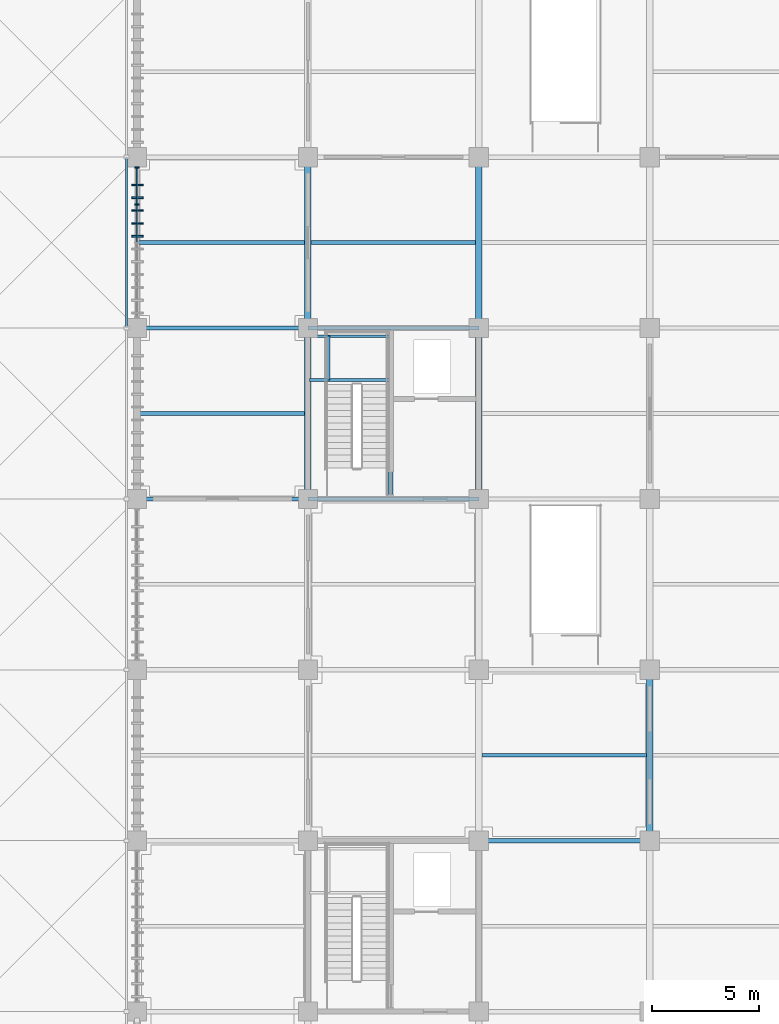
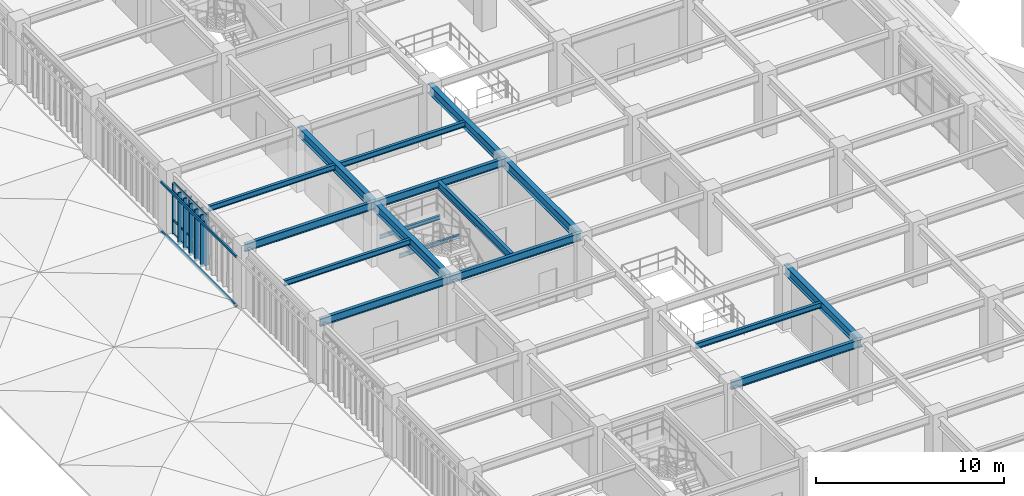
# One storey, part 26 of 118: 18 beams, 15 members, 1 element without a shape of its own.
"""IFC4 building model written with IfcOpenShell, lengths in metres."""

import ifcopenshell
import ifcopenshell.guid

model = None  # the IFC model being written
_history = None  # IfcOwnerHistory: only IFC2X3 demands one
_inside = {}  # id of a spatial element -> (the spatial element, [elements in it])
_under = {}  # id of a project, library or spatial element -> (it, [spatial elements below it])
_declared = {}  # id of a project -> (the project, [libraries it declares])
_typed = {}  # id of a type object -> (the type object, [elements of that type])
_made_of = {}  # id of a material, layer set ... -> (it, [elements and type objects made of it])


def new_model(schema):
    """Start an empty IFC model of exactly this schema.

    Asked for "IFC4X3", IfcOpenShell would pick the latest addendum, in which some entities
    have other attributes; the version numbers below select the first issue.
    IFC2X3 requires an IfcOwnerHistory on every rooted entity: one is made here for all.
    """
    global model, _history
    if schema == "IFC4X3":
        model = ifcopenshell.file(schema_version=(4, 3, 0, 0))
    else:
        model = ifcopenshell.file(schema=schema)
    _inside.clear()
    _under.clear()
    _declared.clear()
    _typed.clear()
    _made_of.clear()
    _history = None
    if model.schema == "IFC2X3":
        org = make("IfcOrganization", Name="unknown")
        user = make(
            "IfcPersonAndOrganization",
            ThePerson=make("IfcPerson", FamilyName="unknown"),
            TheOrganization=org,
        )
        app = make(
            "IfcApplication",
            ApplicationDeveloper=org,
            Version="unknown",
            ApplicationFullName="unknown",
            ApplicationIdentifier="unknown",
        )
        _history = make(
            "IfcOwnerHistory",
            OwningUser=user,
            OwningApplication=app,
            ChangeAction="ADDED",
            CreationDate=0,
        )
    return model


def make(cls, **values):
    """One entity of the class cls with the attributes given. An attribute that is None is left unset."""
    return model.create_entity(
        cls, **{name: value for name, value in values.items() if value is not None}
    )


def rooted(cls, **values):
    """An entity with a GlobalId (a new one), such as an element, a storey or a relation."""
    return make(cls, GlobalId=ifcopenshell.guid.new(), OwnerHistory=_history, **values)


def si_unit(unit_type, name, prefix=None):
    """IfcSIUnit, for example si_unit("LENGTHUNIT", "METRE", prefix="MILLI")."""
    return make("IfcSIUnit", UnitType=unit_type, Prefix=prefix, Name=name)


def assignment(units):
    """IfcUnitAssignment: the units of a project."""
    return None if units is None else make("IfcUnitAssignment", Units=units)


def point(xyz):
    """IfcCartesianPoint."""
    return None if xyz is None else make("IfcCartesianPoint", Coordinates=xyz)


def direction(xyz):
    """IfcDirection."""
    return None if xyz is None else make("IfcDirection", DirectionRatios=xyz)


def frame(location, z_axis=None, x_axis=None):
    """IfcAxis2Placement3D, a coordinate frame: its origin and axes. An axis left out is left unset."""
    return make(
        "IfcAxis2Placement3D",
        Location=point(location),
        Axis=direction(z_axis),
        RefDirection=direction(x_axis),
    )


def frame_2d(location, x_axis=None):
    """IfcAxis2Placement2D, a coordinate frame in the plane: its origin and x axis."""
    return make(
        "IfcAxis2Placement2D", Location=point(location), RefDirection=direction(x_axis)
    )


def origin():
    """The frame at (0, 0, 0) with its axes left unset."""
    return frame((0.0, 0.0, 0.0))


def origin_2d():
    """The frame at (0, 0) in the plane with its x axis left unset."""
    return frame_2d((0.0, 0.0))


def place(relative_to, where):
    """IfcLocalPlacement: puts the frame where relative to a parent placement (None: the world)."""
    return make(
        "IfcLocalPlacement", PlacementRelTo=relative_to, RelativePlacement=where
    )


def context(
    kind, dimensions, precision=None, world=None, true_north=None, identifier=None
):
    """IfcGeometricRepresentationContext, for example the 3D "Model" context."""
    return make(
        "IfcGeometricRepresentationContext",
        ContextIdentifier=identifier,
        ContextType=kind,
        CoordinateSpaceDimension=dimensions,
        Precision=precision,
        WorldCoordinateSystem=world,
        TrueNorth=true_north,
    )


def subcontext(parent, identifier, kind, view, scale=None):
    """IfcGeometricRepresentationSubContext, for example "Body" below "Model"."""
    return make(
        "IfcGeometricRepresentationSubContext",
        ContextIdentifier=identifier,
        ContextType=kind,
        ParentContext=parent,
        TargetScale=scale,
        TargetView=view,
    )


def project(units=None, contexts=None):
    """IfcProject with its units and contexts."""
    return rooted(
        "IfcProject",
        Name="project",
        RepresentationContexts=contexts,
        UnitsInContext=assignment(units),
    )


def spatial(cls, under=None, at=None, **own):
    """A site, building, storey or space (cls), placed at a placement, below another one or the project."""
    s = rooted(cls, ObjectPlacement=at, **own)
    if under is not None:
        _under.setdefault(under.id(), (under, []))[1].append(s)
    return s


def profile(cls, at=None, kind="AREA", **sizes):
    """A parametric profile (cls). Its sizes go by their IFC names, for example OverallWidth=200.0."""
    return make(cls, ProfileType=kind, Position=at, **sizes)


def rectangle(**sizes):
    """IfcRectangleProfileDef."""
    return profile("IfcRectangleProfileDef", **sizes)


def hollow_rectangle(**sizes):
    """IfcRectangleHollowProfileDef."""
    return profile("IfcRectangleHollowProfileDef", **sizes)


def i_section(**sizes):
    """IfcIShapeProfileDef."""
    return profile("IfcIShapeProfileDef", **sizes)


def extrude(swept, where, along, depth):
    """IfcExtrudedAreaSolid: the profile swept, set in the frame where, extruded along a direction by depth."""
    return make(
        "IfcExtrudedAreaSolid",
        SweptArea=swept,
        Position=where,
        ExtrudedDirection=direction(along),
        Depth=depth,
    )


def shape(context_of_items, identifier, shape_type, items):
    """IfcShapeRepresentation: the items that make up one representation, for example the "Body"."""
    return make(
        "IfcShapeRepresentation",
        ContextOfItems=context_of_items,
        RepresentationIdentifier=identifier,
        RepresentationType=shape_type,
        Items=items,
    )


def material(Name=None, Category=None):
    """IfcMaterial."""
    return make("IfcMaterial", Name=Name, Category=Category)


def layer(
    of_material, thickness, ventilated=None, Name=None, Category=None, Priority=None
):
    """IfcMaterialLayer: one layer of a wall or slab, of a material (None: an air gap)."""
    return make(
        "IfcMaterialLayer",
        Material=of_material,
        LayerThickness=thickness,
        IsVentilated=ventilated,
        Name=Name,
        Category=Category,
        Priority=Priority,
    )


def layer_set(layers, Name=None):
    """IfcMaterialLayerSet."""
    return make("IfcMaterialLayerSet", MaterialLayers=layers, LayerSetName=Name)


def material_profile(
    of_material, cross_section, Name=None, Category=None, Priority=None
):
    """IfcMaterialProfile: a cross section and its material."""
    return make(
        "IfcMaterialProfile",
        Name=Name,
        Material=of_material,
        Profile=cross_section,
        Priority=Priority,
        Category=Category,
    )


def profile_set(profiles, Name=None, composite=None):
    """IfcMaterialProfileSet."""
    return make(
        "IfcMaterialProfileSet",
        Name=Name,
        MaterialProfiles=profiles,
        CompositeProfile=composite,
    )


def made_of(thing, what):
    """Note that an element or type object is made of a material, layer set ...; save() writes the relation."""
    if what is not None:
        _made_of.setdefault(what.id(), (what, []))[1].append(thing)
    return thing


def type_object(cls, material=None, **own):
    """A type object (cls), such as IfcWallType, which elements share."""
    return made_of(rooted(cls, **own), material)


def element(
    cls,
    number,
    at=None,
    inside=None,
    cuts=None,
    type_object=None,
    material=None,
    context=None,
    identifier="Body",
    shape_type=None,
    held_by="IfcProductDefinitionShape",
    body=None,
    shapes=None,
    **own,
):
    """One element of the class cls, such as IfcWall. Its Tag is "e" and its number.

    at: its placement. inside: the storey or other place that contains it. cuts: it is an
    opening in that element (IfcRelVoidsElement). A single representation is given by context,
    identifier, shape_type and body (its items); several are given by shapes. held_by: the class
    of the entity that holds the representations. save() writes the other relations.
    """
    e = rooted(cls, Tag="e%d" % number, ObjectPlacement=at, **own)
    if body is not None:
        shapes = [shape(context, identifier, shape_type, body)]
    if shapes is not None:
        e.Representation = make(held_by, Representations=shapes)
    if inside is not None:
        _inside.setdefault(inside.id(), (inside, []))[1].append(e)
    if cuts is not None:
        rooted(
            "IfcRelVoidsElement", RelatingBuildingElement=cuts, RelatedOpeningElement=e
        )
    if type_object is not None:
        _typed.setdefault(type_object.id(), (type_object, []))[1].append(e)
    return made_of(e, material)


def aggregate(whole, parts):
    """IfcRelAggregates: a whole, such as a stair, and the parts it consists of."""
    return rooted("IfcRelAggregates", RelatingObject=whole, RelatedObjects=parts)


def save(model, path):
    """Write the relations noted so far, then the file.

    IfcRelAggregates (storeys below a building ...), IfcRelContainedInSpatialStructure (elements
    in a storey), IfcRelDefinesByType, IfcRelAssociatesMaterial and IfcRelDeclares: one each for
    every whole, place, type object, material and project.
    """
    for whole, parts in _under.values():
        aggregate(whole, parts)
    for where, things in _inside.values():
        rooted(
            "IfcRelContainedInSpatialStructure",
            RelatedElements=things,
            RelatingStructure=where,
        )
    for kind, things in _typed.values():
        rooted("IfcRelDefinesByType", RelatedObjects=things, RelatingType=kind)
    for what, things in _made_of.values():
        rooted("IfcRelAssociatesMaterial", RelatedObjects=things, RelatingMaterial=what)
    for by, libraries in _declared.values():
        rooted("IfcRelDeclares", RelatingContext=by, RelatedDefinitions=libraries)
    model.write(path)


model = new_model("IFC4")

# Units and contexts
model_context = context("Model", 3, precision=1e-05, world=origin(), true_north=direction((0.0, 1.0)))
body_context = subcontext(model_context, "Body", "Model", "MODEL_VIEW")
ifc_project = project(units=[si_unit("LENGTHUNIT", "METRE"), si_unit("AREAUNIT", "SQUARE_METRE"), si_unit("VOLUMEUNIT", "CUBIC_METRE"), si_unit("PLANEANGLEUNIT", "RADIAN"), si_unit("MASSUNIT", "GRAM", prefix="KILO")], contexts=[model_context])

# Site, building, storey
site_placement = place(None, origin())
site = spatial("IfcSite", under=ifc_project, at=site_placement, CompositionType="ELEMENT")
building_placement = place(site_placement, origin())
building = spatial("IfcBuilding", under=site, at=building_placement, Name="Haebicheon Civic Stadium", CompositionType="ELEMENT")
storey_placement = place(building_placement, frame((0.0, 0.0, 14.39990234375)))
storey = spatial("IfcBuildingStorey", under=building, at=storey_placement, Name="L04", CompositionType="ELEMENT", Elevation=14.39990234375)

# Beams
ifc_material_1 = material(Name="Steel SM355 (S355)", Category="steel")
ifc_material_profile_1 = material_profile(ifc_material_1, i_section(OverallWidth=0.199951171875, OverallDepth=0.5, WebThickness=0.010009765625, FlangeThickness=0.01611328125, at=origin_2d()), Name="H-500x200x10x16")
ifc_profile_set_1 = profile_set([ifc_material_profile_1], Name="Steel SM355 (S355)")
beam_type_1 = type_object("IfcBeamType", Name="BM-ST-H500", PredefinedType="BEAM", material=ifc_profile_set_1)
for number, where, z_axis, x_axis, name in (
    (1, (24.0, 80.0, 3.690185546875), (1.0, 0.0, 0.0), (0.0, 1.0, 0.0), "L04 beam L/4-5"),
    (2, (24.0, 88.0, 3.690185546875), (1.0, 0.0, 0.0), (0.0, 1.0, 0.0), "L04 beam M/4-5"),
    (3, (32.0, 80.0, 3.690185546875), (1.0, 0.0, 0.0), (0.0, 1.0, 0.0), "L04 beam L/5-6"),
    (4, (32.0, 88.0, 3.690185546875), (1.0, 0.0, 0.0), (0.0, 1.0, 0.0), "L04 beam M/5-6"),
    (5, (40.0, 64.0, 3.690185546875), (1.0, 0.0, 0.0), (0.0, 1.0, 0.0), "L04 beam J/6-7"),
):
    element("IfcBeam", number, at=place(storey_placement, frame(where, z_axis=z_axis, x_axis=x_axis)), inside=storey, type_object=beam_type_1, material=ifc_profile_set_1, Name=name, PredefinedType="BEAM", context=body_context, shape_type="SweptSolid", body=[
        extrude(i_section(OverallWidth=0.199951171875, OverallDepth=0.5, WebThickness=0.010009765625, FlangeThickness=0.01611328125, at=origin_2d()), origin(), (0.0, 0.0, 1.0), 8.0),
    ])
beam_1_placement = place(storey_placement, frame((35.8798828125, 80.10009765625, 3.690185546875), z_axis=(0.0, 1.0, 0.0), x_axis=(-1.0, 0.0, 0.0)))
element("IfcBeam", 6, at=beam_1_placement, inside=storey, type_object=beam_type_1, material=ifc_profile_set_1, Name="L04 KC-03 core dividing wall support beam", PredefinedType="BEAM", context=body_context, shape_type="SweptSolid", body=[
    extrude(i_section(OverallWidth=0.199951171875, OverallDepth=0.5, WebThickness=0.010009765625, FlangeThickness=0.01611328125, at=origin_2d()), origin(), (0.0, 0.0, 1.0), 7.7998046875),
])
ifc_material_2 = material(Name="Steel SM355 (S355)", Category="steel")
ifc_material_profile_2 = material_profile(ifc_material_2, i_section(OverallWidth=0.300048828125, OverallDepth=0.60009765625, WebThickness=0.011962890625, FlangeThickness=0.02001953125, at=origin_2d()), Name="H-600x300x12x20")
ifc_profile_set_2 = profile_set([ifc_material_profile_2], Name="Steel SM355 (S355)")
beam_type_2 = type_object("IfcBeamType", Name="BM-ST-H600A", PredefinedType="BEAM", material=ifc_profile_set_2)
for number, where, z_axis, x_axis, name in (
    (7, (32.0, 80.0, 3.64013671875), (0.0, 1.0, 0.0), (-1.0, 0.0, 0.0), "L04 girder 5/L-M"),
    (8, (32.0, 88.0, 3.64013671875), (0.0, 1.0, 0.0), (-1.0, 0.0, 0.0), "L04 girder 5/M-N"),
    (9, (40.0, 80.0, 3.64013671875), (0.0, 1.0, 0.0), (-1.0, 0.0, 0.0), "L04 girder 6/L-M"),
    (10, (40.0, 88.0, 3.64013671875), (0.0, 1.0, 0.0), (-1.0, 0.0, 0.0), "L04 girder 6/M-N"),
    (11, (48.0, 64.0, 3.64013671875), (0.0, 1.0, 0.0), (-1.0, 0.0, 0.0), "L04 girder 7/J-K"),
):
    element("IfcBeam", number, at=place(storey_placement, frame(where, z_axis=z_axis, x_axis=x_axis)), inside=storey, type_object=beam_type_2, material=ifc_profile_set_2, Name=name, PredefinedType="BEAM", context=body_context, shape_type="SweptSolid", body=[
        extrude(i_section(OverallWidth=0.300048828125, OverallDepth=0.60009765625, WebThickness=0.011962890625, FlangeThickness=0.02001953125, at=origin_2d()), origin(), (0.0, 0.0, 1.0), 8.0),
    ])

# Curtain wall, members
ifc_material_3 = material(Name="Anodised aluminium and laminated glass", Category="aluminium")
ifc_layer = layer(ifc_material_3, 0.179931640625, Name="Anodised aluminium and laminated glass")
ifc_layer_set = layer_set([ifc_layer], Name="Anodised aluminium and laminated glass")
curtain_wall_type = type_object("IfcCurtainWallType", Name="CW-7100x3330", PredefinedType="NOTDEFINED", material=ifc_layer_set)
curtain_wall_placement = place(storey_placement, origin())
curtain_wall = element("IfcCurtainWall", 12, at=curtain_wall_placement, inside=storey, type_object=curtain_wall_type, material=ifc_layer_set, Name="L04 unitised curtain wall 108", PredefinedType="NOTDEFINED")
ifc_material_4 = material(Name="Anodised aluminium 6063-T6", Category="aluminium")
ifc_material_profile_3 = material_profile(ifc_material_4, rectangle(XDim=0.070068359375, YDim=0.199951171875, at=origin_2d()), Name="ALU-MULL-70x200")
ifc_profile_set_3 = profile_set([ifc_material_profile_3], Name="Anodised aluminium 6063-T6")
member_type_1 = type_object("IfcMemberType", Name="CWM-200x70", PredefinedType="MULLION", material=ifc_profile_set_3)
member_1_placement = place(storey_placement, frame((24.0, 93.77490234375, 0.0), z_axis=(0.0, 0.0, 1.0), x_axis=(0.0, 1.0, 0.0)))
member_1 = element("IfcMember", 13, at=member_1_placement, type_object=member_type_1, material=ifc_profile_set_3, Name="CW-L04-108 vertical mullion 4", PredefinedType="MULLION", context=body_context, shape_type="SweptSolid", body=[
    extrude(rectangle(XDim=0.070068359375, YDim=0.199951171875, at=origin_2d()), origin(), (0.0, 0.0, 1.0), 3.330078125),
])
member_2_placement = place(storey_placement, frame((24.0, 95.514892578125, 0.0), z_axis=(0.0, 0.0, 1.0), x_axis=(0.0, 1.0, 0.0)))
member_2 = element("IfcMember", 14, at=member_2_placement, type_object=member_type_1, material=ifc_profile_set_3, Name="CW-L04-108 vertical mullion 5", PredefinedType="MULLION", context=body_context, shape_type="SweptSolid", body=[
    extrude(rectangle(XDim=0.070068359375, YDim=0.199951171875, at=origin_2d()), origin(), (0.0, 0.0, 1.0), 3.330078125),
])
ifc_material_5 = material(Name="Anodised aluminium 6063-T6", Category="aluminium")
ifc_material_profile_4 = material_profile(ifc_material_5, rectangle(XDim=0.070068359375, YDim=0.14990234375, at=origin_2d()), Name="ALU-TRAN-70x150")
ifc_profile_set_4 = profile_set([ifc_material_profile_4], Name="Anodised aluminium 6063-T6")
member_type_2 = type_object("IfcMemberType", Name="CWT-150x70", PredefinedType="NOTDEFINED", material=ifc_profile_set_4)
member_3_placement = place(storey_placement, frame((24.0, 92.034912109375, 2.780029296875), z_axis=(0.0, 1.0, 0.0), x_axis=(-1.0, 0.0, 0.0)))
member_3 = element("IfcMember", 15, at=member_3_placement, type_object=member_type_2, material=ifc_profile_set_4, Name="CW-L04-108 horizontal transom 3.3", ObjectType="TRANSOM", PredefinedType="USERDEFINED", context=body_context, shape_type="SweptSolid", body=[
    extrude(rectangle(XDim=0.070068359375, YDim=0.14990234375, at=origin_2d()), origin(), (0.0, 0.0, 1.0), 1.705078125),
])
member_4_placement = place(storey_placement, frame((24.0, 92.034912109375, 3.330078125), z_axis=(0.0, 1.0, 0.0), x_axis=(-1.0, 0.0, 0.0)))
member_4 = element("IfcMember", 16, at=member_4_placement, type_object=member_type_2, material=ifc_profile_set_4, Name="CW-L04-108 horizontal transom 3.4", ObjectType="TRANSOM", PredefinedType="USERDEFINED", context=body_context, shape_type="SweptSolid", body=[
    extrude(rectangle(XDim=0.070068359375, YDim=0.14990234375, at=origin_2d()), origin(), (0.0, 0.0, 1.0), 1.705078125),
])
member_5_placement = place(storey_placement, frame((24.0, 93.81005859375, 0.0), z_axis=(0.0, 1.0, 0.0), x_axis=(-1.0, 0.0, 0.0)))
member_5 = element("IfcMember", 17, at=member_5_placement, type_object=member_type_2, material=ifc_profile_set_4, Name="CW-L04-108 horizontal transom 4.1", ObjectType="TRANSOM", PredefinedType="USERDEFINED", context=body_context, shape_type="SweptSolid", body=[
    extrude(rectangle(XDim=0.070068359375, YDim=0.14990234375, at=origin_2d()), origin(), (0.0, 0.0, 1.0), 1.669921875),
])
member_6_placement = place(storey_placement, frame((24.0, 93.81005859375, 0.900146484375), z_axis=(0.0, 1.0, 0.0), x_axis=(-1.0, 0.0, 0.0)))
member_6 = element("IfcMember", 18, at=member_6_placement, type_object=member_type_2, material=ifc_profile_set_4, Name="CW-L04-108 horizontal transom 4.2", ObjectType="TRANSOM", PredefinedType="USERDEFINED", context=body_context, shape_type="SweptSolid", body=[
    extrude(rectangle(XDim=0.070068359375, YDim=0.14990234375, at=origin_2d()), origin(), (0.0, 0.0, 1.0), 1.669921875),
])
member_7_placement = place(storey_placement, frame((24.0, 93.81005859375, 2.780029296875), z_axis=(0.0, 1.0, 0.0), x_axis=(-1.0, 0.0, 0.0)))
member_7 = element("IfcMember", 19, at=member_7_placement, type_object=member_type_2, material=ifc_profile_set_4, Name="CW-L04-108 horizontal transom 4.3", ObjectType="TRANSOM", PredefinedType="USERDEFINED", context=body_context, shape_type="SweptSolid", body=[
    extrude(rectangle(XDim=0.070068359375, YDim=0.14990234375, at=origin_2d()), origin(), (0.0, 0.0, 1.0), 1.669921875),
])
member_8_placement = place(storey_placement, frame((24.0, 93.81005859375, 3.330078125), z_axis=(0.0, 1.0, 0.0), x_axis=(-1.0, 0.0, 0.0)))
member_8 = element("IfcMember", 20, at=member_8_placement, type_object=member_type_2, material=ifc_profile_set_4, Name="CW-L04-108 horizontal transom 4.4", ObjectType="TRANSOM", PredefinedType="USERDEFINED", context=body_context, shape_type="SweptSolid", body=[
    extrude(rectangle(XDim=0.070068359375, YDim=0.14990234375, at=origin_2d()), origin(), (0.0, 0.0, 1.0), 1.669921875),
])
aggregate(curtain_wall, [member_1, member_2, member_3, member_4, member_5, member_6, member_7, member_8])

# Beams
ifc_material_6 = material(Name="Steel SM355 (S355)", Category="steel")
ifc_material_profile_5 = material_profile(ifc_material_6, i_section(OverallWidth=0.125, OverallDepth=0.25, WebThickness=0.006103515625, FlangeThickness=0.009033203125, at=origin_2d()), Name="H-250x125x6x9")
ifc_profile_set_5 = profile_set([ifc_material_profile_5], Name="Steel SM355 (S355)")
beam_type_3 = type_object("IfcBeamType", Name="JST-ST-H250", PredefinedType="JOIST", material=ifc_profile_set_5)
for number, where, z_axis, x_axis, name in (
    (21, (32.080078125, 85.570068359375, 1.772216796875), (1.0, 0.0, 0.0), (0.0, 1.0, 0.0), "KC-03 L04 stair half-landing front trimmer beam"),
    (22, (32.080078125, 87.6201171875, 1.772216796875), (1.0, 0.0, 0.0), (0.0, 1.0, 0.0), "KC-03 L04 stair half-landing rear trimmer beam"),
):
    element("IfcBeam", number, at=place(storey_placement, frame(where, z_axis=z_axis, x_axis=x_axis)), inside=storey, type_object=beam_type_3, material=ifc_profile_set_5, Name=name, PredefinedType="JOIST", context=body_context, shape_type="SweptSolid", body=[
        extrude(i_section(OverallWidth=0.125, OverallDepth=0.25, WebThickness=0.006103515625, FlangeThickness=0.009033203125, at=origin_2d()), origin(), (0.0, 0.0, 1.0), 3.719970703125),
    ])
beam_2_placement = place(storey_placement, frame((32.9599609375, 85.570068359375, 1.772216796875), z_axis=(0.0, 1.0, 0.0), x_axis=(-1.0, 0.0, 0.0)))
element("IfcBeam", 23, at=beam_2_placement, inside=storey, type_object=beam_type_3, material=ifc_profile_set_5, Name="KC-03 L04 stair half-landing transverse tie beam", PredefinedType="JOIST", context=body_context, shape_type="SweptSolid", body=[
    extrude(i_section(OverallWidth=0.125, OverallDepth=0.25, WebThickness=0.006103515625, FlangeThickness=0.009033203125, at=origin_2d()), origin(), (0.0, 0.0, 1.0), 2.050048828125),
])
ifc_material_7 = material(Name="Steel SM355 (S355)", Category="steel")
ifc_material_profile_6 = material_profile(ifc_material_7, i_section(OverallWidth=0.175048828125, OverallDepth=0.35009765625, WebThickness=0.007080078125, FlangeThickness=0.010986328125, at=origin_2d()), Name="H-350x175x7x11")
ifc_profile_set_6 = profile_set([ifc_material_profile_6], Name="Steel SM355 (S355)")
beam_type_4 = type_object("IfcBeamType", Name="JST-ST-H350", PredefinedType="JOIST", material=ifc_profile_set_6)
for number, where, z_axis, x_axis, name in (
    (24, (24.10009765625, 84.0, 3.76513671875), (1.0, 0.0, 0.0), (0.0, 1.0, 0.0), "L04 secondary joist 03-10"),
    (25, (24.10009765625, 92.0, 3.76513671875), (1.0, 0.0, 0.0), (0.0, 1.0, 0.0), "L04 secondary joist 03-11"),
):
    element("IfcBeam", number, at=place(storey_placement, frame(where, z_axis=z_axis, x_axis=x_axis)), inside=storey, type_object=beam_type_4, material=ifc_profile_set_6, Name=name, PredefinedType="JOIST", context=body_context, shape_type="SweptSolid", body=[
        extrude(i_section(OverallWidth=0.175048828125, OverallDepth=0.35009765625, WebThickness=0.007080078125, FlangeThickness=0.010986328125, at=origin_2d()), origin(), (0.0, 0.0, 1.0), 7.75),
    ])
for number, where, z_axis, x_axis, name in (
    (26, (32.14990234375, 92.0, 3.76513671875), (1.0, 0.0, 0.0), (0.0, 1.0, 0.0), "L04 secondary joist 04-11"),
    (27, (40.14990234375, 68.0, 3.76513671875), (1.0, 0.0, 0.0), (0.0, 1.0, 0.0), "L04 secondary joist 05-08"),
):
    element("IfcBeam", number, at=place(storey_placement, frame(where, z_axis=z_axis, x_axis=x_axis)), inside=storey, type_object=beam_type_4, material=ifc_profile_set_6, Name=name, PredefinedType="JOIST", context=body_context, shape_type="SweptSolid", body=[
        extrude(i_section(OverallWidth=0.175048828125, OverallDepth=0.35009765625, WebThickness=0.007080078125, FlangeThickness=0.010986328125, at=origin_2d()), origin(), (0.0, 0.0, 1.0), 7.7001953125),
    ])

# Members
ifc_material_8 = material(Name="Acetylated timber GL28h", Category="wood")
ifc_material_profile_7 = material_profile(ifc_material_8, rectangle(XDim=0.080078125, YDim=0.52001953125, at=origin_2d()), Name="TMB-LOUV-80x520")
ifc_profile_set_7 = profile_set([ifc_material_profile_7], Name="Acetylated timber GL28h")
member_type_3 = type_object("IfcMemberType", Name="LVR-TIM-520x80", PredefinedType="PLATE", material=ifc_profile_set_7)
for number, where, z_axis, x_axis, name in (
    (28, (24.02001953125, 92.300048828125, -0.119873046875), (0.0, 0.0, 1.0), (0.0, 1.0, 0.0), "SCR-WEST L04 acetylated timber storm louvre fin 6.7"),
    (29, (24.02001953125, 92.89990234375, -0.119873046875), (0.0, 0.0, 1.0), (0.0, 1.0, 0.0), "SCR-WEST L04 acetylated timber storm louvre fin 6.8"),
    (30, (24.02001953125, 93.5, -0.119873046875), (0.0, 0.0, 1.0), (0.0, 1.0, 0.0), "SCR-WEST L04 acetylated timber storm louvre fin 6.9"),
    (31, (24.02001953125, 94.10009765625, -0.119873046875), (0.0, 0.0, 1.0), (0.0, 1.0, 0.0), "SCR-WEST L04 acetylated timber storm louvre fin 6.10"),
    (32, (24.02001953125, 94.699951171875, -0.119873046875), (0.0, 0.0, 1.0), (0.0, 1.0, 0.0), "SCR-WEST L04 acetylated timber storm louvre fin 6.11"),
):
    element("IfcMember", number, at=place(storey_placement, frame(where, z_axis=z_axis, x_axis=x_axis)), inside=storey, type_object=member_type_3, material=ifc_profile_set_7, Name=name, PredefinedType="PLATE", context=body_context, shape_type="SweptSolid", body=[
        extrude(rectangle(XDim=0.080078125, YDim=0.52001953125, at=origin_2d()), origin(), (0.0, 0.0, 1.0), 3.369873046875),
    ])
ifc_material_9 = material(Name="Steel SM355 (S355)", Category="steel")
ifc_material_profile_8 = material_profile(ifc_material_9, hollow_rectangle(XDim=0.10009765625, YDim=0.14990234375, WallThickness=0.006103515625, at=origin_2d()), Name="RHS-150x100x6.0")
ifc_profile_set_8 = profile_set([ifc_material_profile_8], Name="Steel SM355 (S355)")
member_type_4 = type_object("IfcMemberType", Name="SUB-RHS150", PredefinedType="STRINGER", material=ifc_profile_set_8)
for number, where, z_axis, x_axis, name in (
    (33, (23.510009765625, 88.0, 0.06005859375), (0.0, 1.0, 0.0), (-1.0, 0.0, 0.0), "SCR-WEST L04 storm-louvre bottom carrier rail 6"),
    (34, (23.510009765625, 88.0, 3.25), (0.0, 1.0, 0.0), (-1.0, 0.0, 0.0), "SCR-WEST L04 storm-louvre top carrier rail 6"),
):
    element("IfcMember", number, at=place(storey_placement, frame(where, z_axis=z_axis, x_axis=x_axis)), inside=storey, type_object=member_type_4, material=ifc_profile_set_8, Name=name, PredefinedType="STRINGER", context=body_context, shape_type="SweptSolid", body=[
        extrude(hollow_rectangle(XDim=0.10009765625, YDim=0.14990234375, WallThickness=0.006103515625, at=origin_2d()), origin(), (0.0, 0.0, 1.0), 8.0),
    ])

save(model, "model.ifc")
